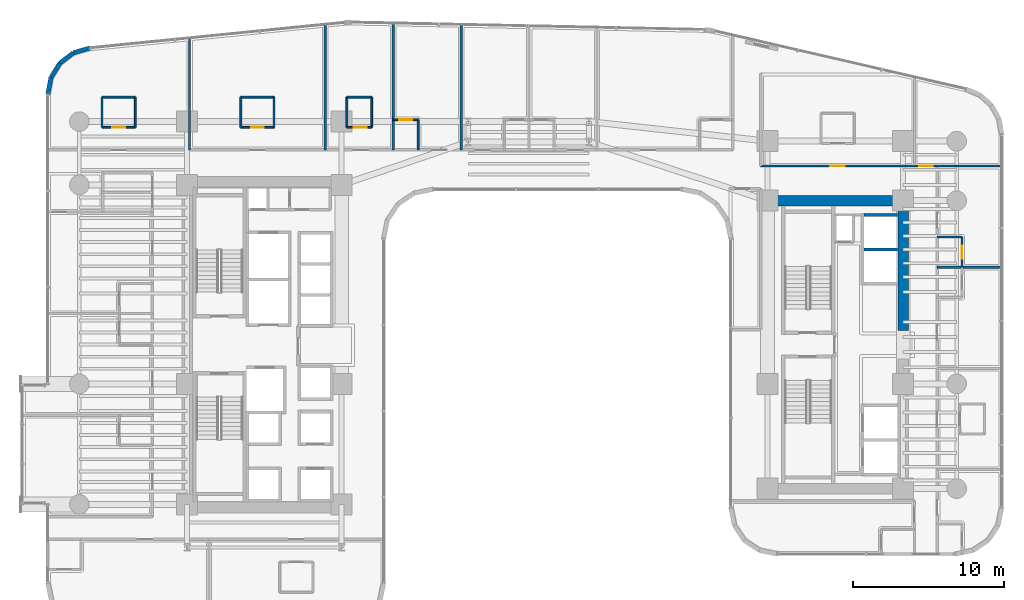
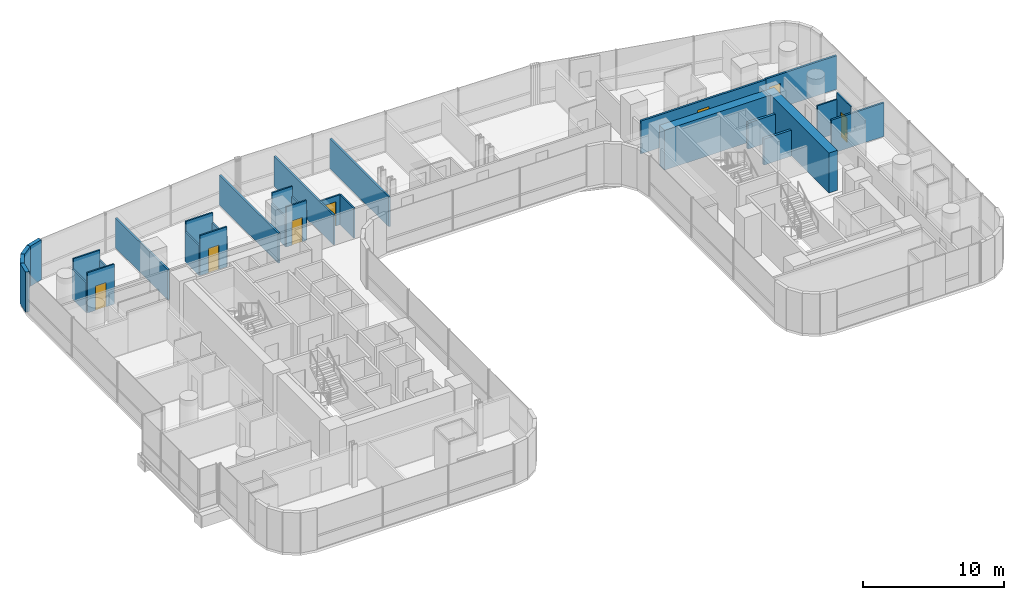
# One storey, part 34 of 42: 31 walls, 7 doors, 7 openings.
"""IFC4 building model written with IfcOpenShell, lengths in metres."""

from ifc_helpers import new_model, si_unit, direction, frame, frame_2d, origin, place, context, subcontext, project, spatial, rectangle, extrude, material, layer, layer_set, type_object, element, fill, save


model = new_model("IFC4")

# Units and contexts
model_context = context("Model", 3, precision=1e-05, world=origin(), true_north=direction((0.0, 1.0)))
body_context = subcontext(model_context, "Body", "Model", "MODEL_VIEW")
ifc_project = project(units=[si_unit("LENGTHUNIT", "METRE"), si_unit("AREAUNIT", "SQUARE_METRE"), si_unit("VOLUMEUNIT", "CUBIC_METRE"), si_unit("PLANEANGLEUNIT", "RADIAN"), si_unit("MASSUNIT", "GRAM", prefix="KILO")], contexts=[model_context])

# Site, building, storey
site_placement = place(None, origin())
site = spatial("IfcSite", under=ifc_project, at=site_placement, CompositionType="ELEMENT")
building_placement = place(site_placement, origin())
building = spatial("IfcBuilding", under=site, at=building_placement, Name="Valdorenza Pilgrim Sanctuary Tower", CompositionType="ELEMENT")
storey_placement = place(building_placement, frame((0.0, 0.0, 29.699951171875)))
storey = spatial("IfcBuildingStorey", under=building, at=storey_placement, Name="L06", CompositionType="ELEMENT", Elevation=29.699951171875)

# Wall, opening, door
ifc_material_1 = material(Name="Acoustic twin-stud gypsum partition", Category="gypsum")
ifc_layer_1 = layer(ifc_material_1, 0.159912109375, Name="Acoustic twin-stud gypsum partition")
ifc_layer_set_1 = layer_set([ifc_layer_1], Name="Acoustic twin-stud gypsum partition")
wall_type_1 = type_object("IfcWallType", Name="WAL-COR-160", PredefinedType="PARTITIONING", material=ifc_layer_set_1)
wall_1_placement = place(storey_placement, frame((15.39990234375, 11.85009765625, 0.0), z_axis=(0.0, 0.0, 1.0), x_axis=(1.0, 0.0, 0.0)))
wall_1 = element("IfcWall", 1, at=wall_1_placement, inside=storey, type_object=wall_type_1, Name="L06 Wing B North Corridor Wall", PredefinedType="PARTITIONING", context=body_context, shape_type="SweptSolid", body=[
    extrude(rectangle(XDim=10.2001953125, YDim=0.159912109375, at=frame_2d((5.10009765625, 0.0))), origin(), (0.0, 0.0, 1.0), 2.833984375),
])
opening_1_placement = place(wall_1_placement, frame((4.625, 0.0, 0.0)))
opening_1 = element("IfcOpeningElement", 2, at=opening_1_placement, cuts=wall_1, Name="Opening DR-UN1", PredefinedType="OPENING", context=body_context, shape_type="SweptSolid", body=[
    extrude(rectangle(XDim=0.949951171875, YDim=2.14990234375, at=frame_2d((0.47509765625, 1.074951171875))), frame((0.0, 0.0947265625, 0.0), z_axis=(0.0, -1.0, 0.0), x_axis=(1.0, 0.0, 0.0)), (0.0, 0.0, 1.0), 0.189697265625),
])
ifc_material_2 = material(Name="Solid-core European oak timber", Category="wood")
door_type_1 = type_object("IfcDoorType", Name="DR-UNIT-950", OperationType="NOTDEFINED", PredefinedType="DOOR", material=ifc_material_2)
door_1_placement = place(opening_1_placement, frame((0.949951171875, 0.0, 0.0), z_axis=(0.0, 0.0, 1.0), x_axis=(-1.0, 0.0, 0.0)))
door_1 = element("IfcDoor", 3, at=door_1_placement, inside=storey, type_object=door_type_1, Name="L06 East North Guest Room L06-EN1 Entrance Door", OperationType="SINGLE_SWING_LEFT", OverallHeight=2.14990234375, OverallWidth=0.949951171875, PredefinedType="DOOR", context=body_context, shape_type="SweptSolid", body=[
    extrude(rectangle(XDim=0.949951171875, YDim=2.14990234375, at=frame_2d((0.47509765625, 1.074951171875))), frame((0.0, 0.02490234375, 0.0), z_axis=(0.0, -1.0, 0.0), x_axis=(1.0, 0.0, 0.0)), (0.0, 0.0, 1.0), 0.050048828125),
])
fill(opening_1, door_1)

wall_2_placement = place(storey_placement, frame((25.60009765625, 11.85009765625, 0.0), z_axis=(0.0, 0.0, 1.0), x_axis=(1.0, 0.0, 0.0)))
wall_2 = element("IfcWall", 4, at=wall_2_placement, inside=storey, type_object=wall_type_1, Name="L06 East Wing NE Corner South Wall", PredefinedType="PARTITIONING", context=body_context, shape_type="SweptSolid", body=[
    extrude(rectangle(XDim=5.789794921875, YDim=0.159912109375, at=frame_2d((2.89501953125, 0.0))), origin(), (0.0, 0.0, 1.0), 2.89599609375),
])
opening_2_placement = place(wall_2_placement, frame((0.300048828125, 0.0, 0.0)))
opening_2 = element("IfcOpeningElement", 5, at=opening_2_placement, cuts=wall_2, Name="Opening DR-RM1", PredefinedType="OPENING", context=body_context, shape_type="SweptSolid", body=[
    extrude(rectangle(XDim=0.89990234375, YDim=2.10009765625, at=frame_2d((0.449951171875, 1.050048828125))), frame((0.0, 0.0947265625, 0.0), z_axis=(0.0, -1.0, 0.0), x_axis=(1.0, 0.0, 0.0)), (0.0, 0.0, 1.0), 0.189697265625),
])
door_type_2 = type_object("IfcDoorType", Name="DR-ROOM-900", OperationType="NOTDEFINED", PredefinedType="DOOR", material=ifc_material_2)
door_2_placement = place(opening_2_placement, origin())
door_2 = element("IfcDoor", 6, at=door_2_placement, inside=storey, type_object=door_type_2, Name="L06 East North Alcove Office L06 Door", OperationType="SINGLE_SWING_LEFT", OverallHeight=2.10009765625, OverallWidth=0.89990234375, PredefinedType="DOOR", context=body_context, shape_type="SweptSolid", body=[
    extrude(rectangle(XDim=0.89990234375, YDim=2.10009765625, at=frame_2d((0.449951171875, 1.050048828125))), frame((0.0, 0.02490234375, 0.0), z_axis=(0.0, -1.0, 0.0), x_axis=(1.0, 0.0, 0.0)), (0.0, 0.0, 1.0), 0.050048828125),
])
fill(opening_2, door_2)

# Walls
ifc_material_3 = material(Name="Concrete C60/75", Category="concrete")
ifc_layer_2 = layer(ifc_material_3, 0.699951171875, Name="Concrete C60/75")
ifc_layer_set_2 = layer_set([ifc_layer_2], Name="Concrete C60/75")
wall_type_2 = type_object("IfcWallType", Name="WAL-COR-700", PredefinedType="SHEAR", material=ifc_layer_set_2)
wall_3_placement = place(storey_placement, frame((24.85009765625, 0.949951171875, 0.0), z_axis=(0.0, 0.0, 1.0), x_axis=(0.0, 1.0, 0.0)))
element("IfcWall", 7, at=wall_3_placement, inside=storey, type_object=wall_type_2, Name="L06 Split Core B Shear Wall EN", PredefinedType="SHEAR", context=body_context, shape_type="SweptSolid", body=[
    extrude(rectangle(XDim=8.949951171875, YDim=0.699951171875, at=frame_2d((4.47509765625, 0.0))), origin(), (0.0, 0.0, 1.0), 3.4599609375),
])
wall_4_placement = place(storey_placement, frame((15.85009765625, 9.550048828125, 0.0), z_axis=(0.0, 0.0, 1.0), x_axis=(1.0, 0.0, 0.0)))
element("IfcWall", 8, at=wall_4_placement, inside=storey, type_object=wall_type_2, Name="L06 Split Core B Shear Wall N", PredefinedType="SHEAR", context=body_context, shape_type="SweptSolid", body=[
    extrude(rectangle(XDim=9.0, YDim=0.699951171875, at=frame_2d((4.5, 0.0))), origin(), (0.0, 0.0, 1.0), 3.4599609375),
])
ifc_material_4 = material(Name="Honed travertine limestone", Category="masonry")
ifc_layer_3 = layer(ifc_material_4, 0.300048828125, Name="Honed travertine limestone")
ifc_layer_set_3 = layer_set([ifc_layer_3], Name="Honed travertine limestone")
wall_type_3 = type_object("IfcWallType", Name="WAL-EXT-300", PredefinedType="SOLIDWALL", material=ifc_layer_set_3)
wall_5_placement = place(storey_placement, frame((-31.889892578125, 16.593994140625, 0.0), z_axis=(0.0, 0.0, 1.0), x_axis=(0.182748995683, 0.9831596028, 0.0)))
element("IfcWall", 9, at=wall_5_placement, inside=storey, type_object=wall_type_3, Name="L06 Rounded Wind-Corner Stone Pier 2", PredefinedType="SOLIDWALL", context=body_context, shape_type="SweptSolid", body=[
    extrude(rectangle(XDim=1.1396484375, YDim=0.300048828125, at=frame_2d((0.56982421875, 0.0))), origin(), (0.0, 0.0, 1.0), 3.4599609375),
])
wall_6_placement = place(storey_placement, frame((-31.681640625, 17.71435546875, 0.0), z_axis=(0.0, 0.0, 1.0), x_axis=(0.524157723014, 0.8516212077, 0.0)))
element("IfcWall", 10, at=wall_6_placement, inside=storey, type_object=wall_type_3, Name="L06 Rounded Wind-Corner Stone Pier 3", PredefinedType="SOLIDWALL", context=body_context, shape_type="SweptSolid", body=[
    extrude(rectangle(XDim=1.12939453125, YDim=0.300048828125, at=frame_2d((0.564697265625, 0.0))), origin(), (0.0, 0.0, 1.0), 3.4599609375),
])
wall_7_placement = place(storey_placement, frame((-31.089599609375, 18.67626953125, 0.0), z_axis=(0.0, 0.0, 1.0), x_axis=(0.795253002434, 0.606277710393, 0.0)))
element("IfcWall", 11, at=wall_7_placement, inside=storey, type_object=wall_type_3, Name="L06 Rounded Wind-Corner Stone Pier 4", PredefinedType="SOLIDWALL", context=body_context, shape_type="SweptSolid", body=[
    extrude(rectangle(XDim=1.129150390625, YDim=0.300048828125, at=frame_2d((0.564453125, 0.0))), origin(), (0.0, 0.0, 1.0), 3.4599609375),
])
wall_8_placement = place(storey_placement, frame((-30.191650390625, 19.36083984375, 0.0), z_axis=(0.0, 0.0, 1.0), x_axis=(0.960071941549, 0.279753225271, 0.0)))
element("IfcWall", 12, at=wall_8_placement, inside=storey, type_object=wall_type_3, Name="L06 Rounded Wind-Corner Stone Pier 5", PredefinedType="SOLIDWALL", context=body_context, shape_type="SweptSolid", body=[
    extrude(rectangle(XDim=1.1396484375, YDim=0.300048828125, at=frame_2d((0.56982421875, 0.0))), origin(), (0.0, 0.0, 1.0), 3.4599609375),
])
ifc_material_5 = material(Name="Moisture-resistant gypsum partition", Category="gypsum")
ifc_layer_4 = layer(ifc_material_5, 0.1201171875, Name="Moisture-resistant gypsum partition")
ifc_layer_set_4 = layer_set([ifc_layer_4], Name="Moisture-resistant gypsum partition")
wall_type_4 = type_object("IfcWallType", Name="WAL-INT-120", PredefinedType="PARTITIONING", material=ifc_layer_set_4)
for number, where, z_axis, x_axis, name in (
    (13, (-28.2900390625, 14.419921875, 0.0), (0.0, 0.0, 1.0), (0.0, 1.0, 0.0), "L06 North Guest Room L06-N1 En-suite West Wall"),
    (14, (-26.090087890625, 14.419921875, 0.0), (0.0, 0.0, 1.0), (0.0, 1.0, 0.0), "L06 North Guest Room L06-N1 En-suite East Wall"),
):
    element("IfcWall", number, at=place(storey_placement, frame(where, z_axis=z_axis, x_axis=x_axis)), inside=storey, type_object=wall_type_4, Name=name, PredefinedType="PARTITIONING", context=body_context, shape_type="SweptSolid", body=[
        extrude(rectangle(XDim=2.0, YDim=0.1201171875, at=frame_2d((1.0, 0.0))), origin(), (0.0, 0.0, 1.0), 2.5830078125),
    ])
wall_9_placement = place(storey_placement, frame((-28.2900390625, 16.419921875, 0.0), z_axis=(0.0, 0.0, 1.0), x_axis=(1.0, 0.0, 0.0)))
element("IfcWall", 15, at=wall_9_placement, inside=storey, type_object=wall_type_4, Name="L06 North Guest Room L06-N1 En-suite Back Wall", PredefinedType="PARTITIONING", context=body_context, shape_type="SweptSolid", body=[
    extrude(rectangle(XDim=2.199951171875, YDim=0.1201171875, at=frame_2d((1.10009765625, 0.0))), origin(), (0.0, 0.0, 1.0), 3.4599609375),
])

# Wall, opening, door
wall_10_placement = place(storey_placement, frame((-28.2900390625, 14.419921875, 0.0), z_axis=(0.0, 0.0, 1.0), x_axis=(1.0, 0.0, 0.0)))
wall_10 = element("IfcWall", 16, at=wall_10_placement, inside=storey, type_object=wall_type_4, Name="L06 North Guest Room L06-N1 En-suite Door Wall", PredefinedType="PARTITIONING", context=body_context, shape_type="SweptSolid", body=[
    extrude(rectangle(XDim=2.199951171875, YDim=0.1201171875, at=frame_2d((1.10009765625, 0.0))), origin(), (0.0, 0.0, 1.0), 3.4599609375),
])
opening_3_placement = place(wall_10_placement, frame((0.675048828125, 0.0, 0.0)))
opening_3 = element("IfcOpeningElement", 17, at=opening_3_placement, cuts=wall_10, Name="Opening DR-WC1", PredefinedType="OPENING", context=body_context, shape_type="SweptSolid", body=[
    extrude(rectangle(XDim=0.85009765625, YDim=2.10009765625, at=frame_2d((0.425048828125, 1.050048828125))), frame((0.0, 0.074951171875, 0.0), z_axis=(0.0, -1.0, 0.0), x_axis=(1.0, 0.0, 0.0)), (0.0, 0.0, 1.0), 0.14990234375),
])
ifc_material_6 = material(Name="Moisture-resistant lacquered timber", Category="wood")
door_type_3 = type_object("IfcDoorType", Name="DR-BATH-850", OperationType="NOTDEFINED", PredefinedType="DOOR", material=ifc_material_6)
door_3_placement = place(opening_3_placement, origin())
door_3 = element("IfcDoor", 18, at=door_3_placement, inside=storey, type_object=door_type_3, Name="L06 North Guest Room L06-N1 En-suite Bathroom Door", OperationType="SINGLE_SWING_RIGHT", OverallHeight=2.10009765625, OverallWidth=0.85009765625, PredefinedType="DOOR", context=body_context, shape_type="SweptSolid", body=[
    extrude(rectangle(XDim=0.85009765625, YDim=2.10009765625, at=frame_2d((0.425048828125, 1.050048828125))), frame((0.0, 0.02490234375, 0.0), z_axis=(0.0, -1.0, 0.0), x_axis=(1.0, 0.0, 0.0)), (0.0, 0.0, 1.0), 0.050048828125),
])
fill(opening_3, door_3)

# Walls
for number, where, z_axis, x_axis, name in (
    (19, (-19.0849609375, 14.419921875, 0.0), (0.0, 0.0, 1.0), (0.0, 1.0, 0.0), "L06 North Guest Room L06-N2 En-suite West Wall"),
    (20, (-16.885009765625, 14.419921875, 0.0), (0.0, 0.0, 1.0), (0.0, 1.0, 0.0), "L06 North Guest Room L06-N2 En-suite East Wall"),
):
    element("IfcWall", number, at=place(storey_placement, frame(where, z_axis=z_axis, x_axis=x_axis)), inside=storey, type_object=wall_type_4, Name=name, PredefinedType="PARTITIONING", context=body_context, shape_type="SweptSolid", body=[
        extrude(rectangle(XDim=2.0, YDim=0.1201171875, at=frame_2d((1.0, 0.0))), origin(), (0.0, 0.0, 1.0), 2.5830078125),
    ])
wall_11_placement = place(storey_placement, frame((-19.0849609375, 16.419921875, 0.0), z_axis=(0.0, 0.0, 1.0), x_axis=(1.0, 0.0, 0.0)))
element("IfcWall", 21, at=wall_11_placement, inside=storey, type_object=wall_type_4, Name="L06 North Guest Room L06-N2 En-suite Back Wall", PredefinedType="PARTITIONING", context=body_context, shape_type="SweptSolid", body=[
    extrude(rectangle(XDim=2.199951171875, YDim=0.1201171875, at=frame_2d((1.10009765625, 0.0))), origin(), (0.0, 0.0, 1.0), 3.4599609375),
])

# Wall, opening, door
wall_12_placement = place(storey_placement, frame((-19.0849609375, 14.419921875, 0.0), z_axis=(0.0, 0.0, 1.0), x_axis=(1.0, 0.0, 0.0)))
wall_12 = element("IfcWall", 22, at=wall_12_placement, inside=storey, type_object=wall_type_4, Name="L06 North Guest Room L06-N2 En-suite Door Wall", PredefinedType="PARTITIONING", context=body_context, shape_type="SweptSolid", body=[
    extrude(rectangle(XDim=2.199951171875, YDim=0.1201171875, at=frame_2d((1.10009765625, 0.0))), origin(), (0.0, 0.0, 1.0), 3.4599609375),
])
opening_4_placement = place(wall_12_placement, frame((0.675048828125, 0.0, 0.0)))
opening_4 = element("IfcOpeningElement", 23, at=opening_4_placement, cuts=wall_12, Name="Opening DR-WC1", PredefinedType="OPENING", context=body_context, shape_type="SweptSolid", body=[
    extrude(rectangle(XDim=0.85009765625, YDim=2.10009765625, at=frame_2d((0.425048828125, 1.050048828125))), frame((0.0, 0.074951171875, 0.0), z_axis=(0.0, -1.0, 0.0), x_axis=(1.0, 0.0, 0.0)), (0.0, 0.0, 1.0), 0.14990234375),
])
door_4_placement = place(opening_4_placement, origin())
door_4 = element("IfcDoor", 24, at=door_4_placement, inside=storey, type_object=door_type_3, Name="L06 North Guest Room L06-N2 En-suite Bathroom Door", OperationType="SINGLE_SWING_RIGHT", OverallHeight=2.10009765625, OverallWidth=0.85009765625, PredefinedType="DOOR", context=body_context, shape_type="SweptSolid", body=[
    extrude(rectangle(XDim=0.85009765625, YDim=2.10009765625, at=frame_2d((0.425048828125, 1.050048828125))), frame((0.0, 0.02490234375, 0.0), z_axis=(0.0, -1.0, 0.0), x_axis=(1.0, 0.0, 0.0)), (0.0, 0.0, 1.0), 0.050048828125),
])
fill(opening_4, door_4)

# Walls
for number, where, z_axis, x_axis, name in (
    (25, (-12.052490234375, 14.419921875, 0.0), (0.0, 0.0, 1.0), (0.0, 1.0, 0.0), "L06 North Guest Room L06-N3A En-suite West Wall"),
    (26, (-10.402587890625, 14.419921875, 0.0), (0.0, 0.0, 1.0), (0.0, 1.0, 0.0), "L06 North Guest Room L06-N3A En-suite East Wall"),
):
    element("IfcWall", number, at=place(storey_placement, frame(where, z_axis=z_axis, x_axis=x_axis)), inside=storey, type_object=wall_type_4, Name=name, PredefinedType="PARTITIONING", context=body_context, shape_type="SweptSolid", body=[
        extrude(rectangle(XDim=2.0, YDim=0.1201171875, at=frame_2d((1.0, 0.0))), origin(), (0.0, 0.0, 1.0), 2.5830078125),
    ])
wall_13_placement = place(storey_placement, frame((-12.052490234375, 16.419921875, 0.0), z_axis=(0.0, 0.0, 1.0), x_axis=(1.0, 0.0, 0.0)))
element("IfcWall", 27, at=wall_13_placement, inside=storey, type_object=wall_type_4, Name="L06 North Guest Room L06-N3A En-suite Back Wall", PredefinedType="PARTITIONING", context=body_context, shape_type="SweptSolid", body=[
    extrude(rectangle(XDim=1.64990234375, YDim=0.1201171875, at=frame_2d((0.824951171875, 0.0))), origin(), (0.0, 0.0, 1.0), 3.4599609375),
])

# Wall, opening, door
wall_14_placement = place(storey_placement, frame((-12.052490234375, 14.419921875, 0.0), z_axis=(0.0, 0.0, 1.0), x_axis=(1.0, 0.0, 0.0)))
wall_14 = element("IfcWall", 28, at=wall_14_placement, inside=storey, type_object=wall_type_4, Name="L06 North Guest Room L06-N3A En-suite Door Wall", PredefinedType="PARTITIONING", context=body_context, shape_type="SweptSolid", body=[
    extrude(rectangle(XDim=1.64990234375, YDim=0.1201171875, at=frame_2d((0.824951171875, 0.0))), origin(), (0.0, 0.0, 1.0), 3.4599609375),
])
opening_5_placement = place(wall_14_placement, frame((0.4599609375, 0.0, 0.0)))
opening_5 = element("IfcOpeningElement", 29, at=opening_5_placement, cuts=wall_14, Name="Opening DR-WC1", PredefinedType="OPENING", context=body_context, shape_type="SweptSolid", body=[
    extrude(rectangle(XDim=0.85009765625, YDim=2.10009765625, at=frame_2d((0.425048828125, 1.050048828125))), frame((0.0, 0.074951171875, 0.0), z_axis=(0.0, -1.0, 0.0), x_axis=(1.0, 0.0, 0.0)), (0.0, 0.0, 1.0), 0.14990234375),
])
door_5_placement = place(opening_5_placement, origin())
door_5 = element("IfcDoor", 30, at=door_5_placement, inside=storey, type_object=door_type_3, Name="L06 North Guest Room L06-N3A En-suite Bathroom Door", OperationType="SINGLE_SWING_RIGHT", OverallHeight=2.10009765625, OverallWidth=0.85009765625, PredefinedType="DOOR", context=body_context, shape_type="SweptSolid", body=[
    extrude(rectangle(XDim=0.85009765625, YDim=2.10009765625, at=frame_2d((0.425048828125, 1.050048828125))), frame((0.0, 0.02490234375, 0.0), z_axis=(0.0, -1.0, 0.0), x_axis=(1.0, 0.0, 0.0)), (0.0, 0.0, 1.0), 0.050048828125),
])
fill(opening_5, door_5)

# Wall
wall_15_placement = place(storey_placement, frame((-7.324951171875, 12.919921875, 0.0), z_axis=(0.0, 0.0, 1.0), x_axis=(0.0, 1.0, 0.0)))
element("IfcWall", 31, at=wall_15_placement, inside=storey, type_object=wall_type_4, Name="L06 North Guest Room L06-N3B En-suite East Wall", PredefinedType="PARTITIONING", context=body_context, shape_type="SweptSolid", body=[
    extrude(rectangle(XDim=2.0, YDim=0.1201171875, at=frame_2d((1.0, 0.0))), origin(), (0.0, 0.0, 1.0), 2.5830078125),
])

# Wall, opening, door
wall_16_placement = place(storey_placement, frame((-8.97509765625, 14.919921875, 0.0), z_axis=(0.0, 0.0, 1.0), x_axis=(1.0, 0.0, 0.0)))
wall_16 = element("IfcWall", 32, at=wall_16_placement, inside=storey, type_object=wall_type_4, Name="L06 North Guest Room L06-N3B En-suite Door Wall", PredefinedType="PARTITIONING", context=body_context, shape_type="SweptSolid", body=[
    extrude(rectangle(XDim=1.650146484375, YDim=0.1201171875, at=frame_2d((0.8251953125, 0.0))), origin(), (0.0, 0.0, 1.0), 2.5830078125),
])
opening_6_placement = place(wall_16_placement, frame((0.39990234375, 0.0, 0.0)))
opening_6 = element("IfcOpeningElement", 33, at=opening_6_placement, cuts=wall_16, Name="Opening DR-WC1", PredefinedType="OPENING", context=body_context, shape_type="SweptSolid", body=[
    extrude(rectangle(XDim=0.85009765625, YDim=2.10009765625, at=frame_2d((0.425048828125, 1.050048828125))), frame((0.0, 0.074951171875, 0.0), z_axis=(0.0, -1.0, 0.0), x_axis=(1.0, 0.0, 0.0)), (0.0, 0.0, 1.0), 0.14990234375),
])
door_6_placement = place(opening_6_placement, origin())
door_6 = element("IfcDoor", 34, at=door_6_placement, inside=storey, type_object=door_type_3, Name="L06 North Guest Room L06-N3B En-suite Bathroom Door", OperationType="SINGLE_SWING_RIGHT", OverallHeight=2.10009765625, OverallWidth=0.85009765625, PredefinedType="DOOR", context=body_context, shape_type="SweptSolid", body=[
    extrude(rectangle(XDim=0.85009765625, YDim=2.10009765625, at=frame_2d((0.425048828125, 1.050048828125))), frame((0.0, 0.02490234375, 0.0), z_axis=(0.0, -1.0, 0.0), x_axis=(1.0, 0.0, 0.0)), (0.0, 0.0, 1.0), 0.050048828125),
])
fill(opening_6, door_6)

# Wall
wall_17_placement = place(storey_placement, frame((27.10009765625, 7.137939453125, 0.0), z_axis=(0.0, 0.0, 1.0), x_axis=(1.0, 0.0, 0.0)))
element("IfcWall", 35, at=wall_17_placement, inside=storey, type_object=wall_type_4, Name="L06 East Sanctuary Guest Room L06-EG4 En-suite North Wall", PredefinedType="PARTITIONING", context=body_context, shape_type="SweptSolid", body=[
    extrude(rectangle(XDim=1.64990234375, YDim=0.1201171875, at=frame_2d((0.824951171875, 0.0))), origin(), (0.0, 0.0, 1.0), 2.89599609375),
])

# Wall, opening, door
wall_18_placement = place(storey_placement, frame((28.75, 5.137939453125, 0.0), z_axis=(0.0, 0.0, 1.0), x_axis=(0.0, 1.0, 0.0)))
wall_18 = element("IfcWall", 36, at=wall_18_placement, inside=storey, type_object=wall_type_4, Name="L06 East Sanctuary Guest Room L06-EG4 En-suite Door Wall", PredefinedType="PARTITIONING", context=body_context, shape_type="SweptSolid", body=[
    extrude(rectangle(XDim=2.0, YDim=0.1201171875, at=frame_2d((1.0, 0.0))), origin(), (0.0, 0.0, 1.0), 3.4599609375),
])
opening_7_placement = place(wall_18_placement, frame((0.574951171875, 0.0, 0.0)))
opening_7 = element("IfcOpeningElement", 37, at=opening_7_placement, cuts=wall_18, Name="Opening DR-WC1", PredefinedType="OPENING", context=body_context, shape_type="SweptSolid", body=[
    extrude(rectangle(XDim=0.85009765625, YDim=2.10009765625, at=frame_2d((0.425048828125, 1.050048828125))), frame((0.0, 0.074951171875, 0.0), z_axis=(0.0, -1.0, 0.0), x_axis=(1.0, 0.0, 0.0)), (0.0, 0.0, 1.0), 0.14990234375),
])
door_7_placement = place(opening_7_placement, origin())
door_7 = element("IfcDoor", 38, at=door_7_placement, inside=storey, type_object=door_type_3, Name="L06 East Sanctuary Guest Room L06-EG4 En-suite Bathroom Door", OperationType="SINGLE_SWING_LEFT", OverallHeight=2.10009765625, OverallWidth=0.85009765625, PredefinedType="DOOR", context=body_context, shape_type="SweptSolid", body=[
    extrude(rectangle(XDim=0.85009765625, YDim=2.10009765625, at=frame_2d((0.425048828125, 1.050048828125))), frame((0.0, 0.02490234375, 0.0), z_axis=(0.0, -1.0, 0.0), x_axis=(1.0, 0.0, 0.0)), (0.0, 0.0, 1.0), 0.050048828125),
])
fill(opening_7, door_7)

# Walls
ifc_material_7 = material(Name="Autoclaved aerated concrete blockwork", Category="masonry")
ifc_layer_5 = layer(ifc_material_7, 0.199951171875, Name="Autoclaved aerated concrete blockwork")
ifc_layer_set_5 = layer_set([ifc_layer_5], Name="Autoclaved aerated concrete blockwork")
wall_type_5 = type_object("IfcWallType", Name="WAL-SHF-200", PredefinedType="MOVABLE", material=ifc_layer_set_5)
for number, where, z_axis, x_axis, name in (
    (39, (22.25, 6.324951171875, 0.0), (0.0, 0.0, 1.0), (1.0, 0.0, 0.0), "L06 Lift PL-07 Hoistway Wall North"),
    (40, (22.25, 8.60009765625, 0.0), (0.0, 0.0, 1.0), (1.0, 0.0, 0.0), "L06 Lift PL-08 Hoistway Wall North"),
):
    element("IfcWall", number, at=place(storey_placement, frame(where, z_axis=z_axis, x_axis=x_axis)), inside=storey, type_object=wall_type_5, Name=name, PredefinedType="MOVABLE", context=body_context, shape_type="SweptSolid", body=[
        extrude(rectangle(XDim=2.22998046875, YDim=0.199951171875, at=frame_2d((1.114990234375, 0.0))), origin(), (0.0, 0.0, 1.0), 2.2451171875),
    ])
ifc_layer_6 = layer(ifc_material_1, 0.14990234375, Name="Acoustic twin-stud gypsum partition")
ifc_layer_set_6 = layer_set([ifc_layer_6], Name="Acoustic twin-stud gypsum partition")
wall_type_6 = type_object("IfcWallType", Name="WAL-UNT-150", PredefinedType="PARTITIONING", material=ifc_layer_set_6)
wall_19_placement = place(storey_placement, frame((-22.489990234375, 12.919921875, 0.0), z_axis=(0.0, 0.0, 1.0), x_axis=(0.0, 1.0, 0.0)))
element("IfcWall", 41, at=wall_19_placement, inside=storey, type_object=wall_type_6, Name="L06 North Demising 1", PredefinedType="PARTITIONING", context=body_context, shape_type="SweptSolid", body=[
    extrude(rectangle(XDim=7.420654296875, YDim=0.14990234375, at=frame_2d((3.71044921875, 0.0))), origin(), (0.0, 0.0, 1.0), 2.5830078125),
])
wall_20_placement = place(storey_placement, frame((-13.47998046875, 12.919921875, 0.0), z_axis=(0.0, 0.0, 1.0), x_axis=(0.0, 1.0, 0.0)))
element("IfcWall", 42, at=wall_20_placement, inside=storey, type_object=wall_type_6, Name="L06 North Demising 2", PredefinedType="PARTITIONING", context=body_context, shape_type="SweptSolid", body=[
    extrude(rectangle(XDim=8.321533203125, YDim=0.14990234375, at=frame_2d((4.16064453125, 0.0))), origin(), (0.0, 0.0, 1.0), 2.5830078125),
])
wall_21_placement = place(storey_placement, frame((-4.469970703125, 12.919921875, 0.0), z_axis=(0.0, 0.0, 1.0), x_axis=(0.0, 1.0, 0.0)))
element("IfcWall", 43, at=wall_21_placement, inside=storey, type_object=wall_type_6, Name="L06 North Demising 3", PredefinedType="PARTITIONING", context=body_context, shape_type="SweptSolid", body=[
    extrude(rectangle(XDim=8.313232421875, YDim=0.14990234375, at=frame_2d((4.15673828125, 0.0))), origin(), (0.0, 0.0, 1.0), 2.5830078125),
])
wall_22_placement = place(storey_placement, frame((-8.97509765625, 12.919921875, 0.0), z_axis=(0.0, 0.0, 1.0), x_axis=(0.0, 1.0, 0.0)))
element("IfcWall", 44, at=wall_22_placement, inside=storey, type_object=wall_type_6, Name="L06 North Guest Room L06-N3 Split Wall", PredefinedType="PARTITIONING", context=body_context, shape_type="SweptSolid", body=[
    extrude(rectangle(XDim=8.406982421875, YDim=0.14990234375, at=frame_2d((4.20361328125, 0.0))), origin(), (0.0, 0.0, 1.0), 2.5830078125),
])
wall_23_placement = place(storey_placement, frame((27.10009765625, 5.137939453125, 0.0), z_axis=(0.0, 0.0, 1.0), x_axis=(1.0, 0.0, 0.0)))
element("IfcWall", 45, at=wall_23_placement, inside=storey, type_object=wall_type_6, Name="L06 East Wing Guest Demising 3", PredefinedType="PARTITIONING", context=body_context, shape_type="SweptSolid", body=[
    extrude(rectangle(XDim=4.289794921875, YDim=0.14990234375, at=frame_2d((2.14501953125, 0.0))), origin(), (0.0, 0.0, 1.0), 2.89599609375),
])

save(model, "model.ifc")
